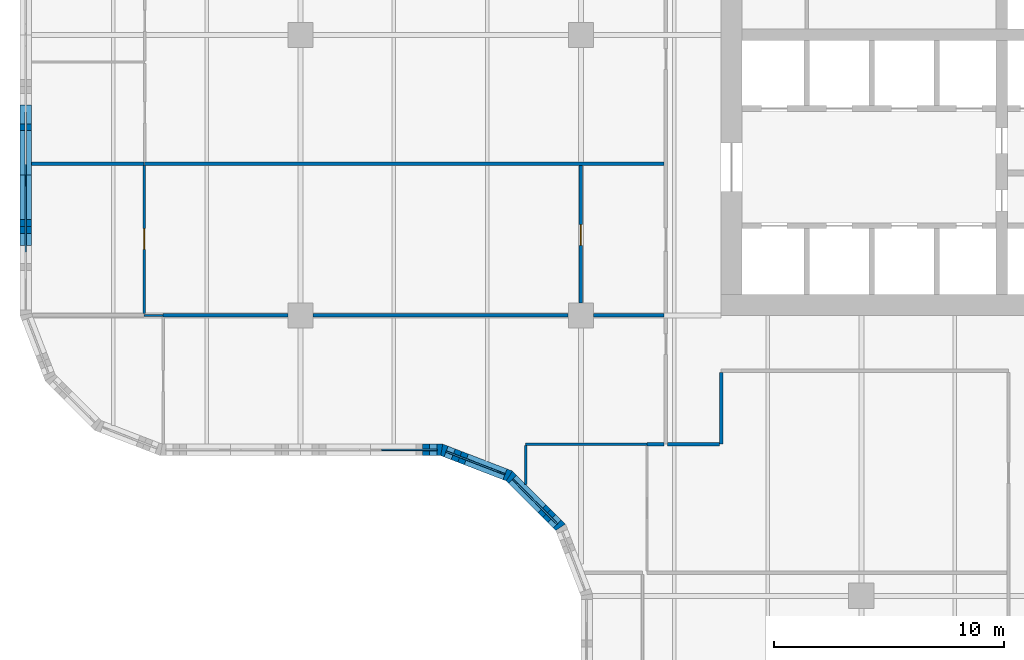
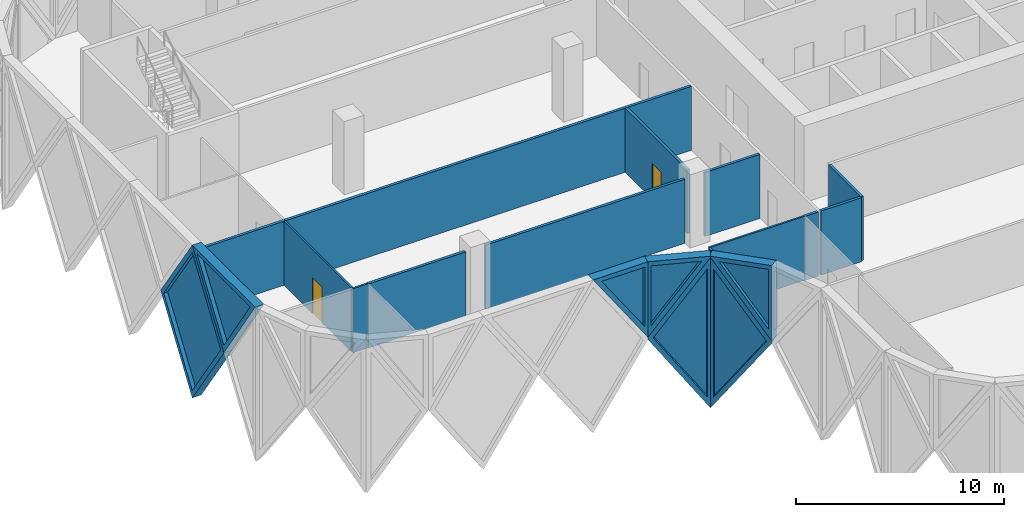
# One storey, part 11 of 30: 20 walls, 7 plates, 2 doors, 9 openings.
"""IFC4 building model written with IfcOpenShell, lengths in metres."""

from ifc_helpers import new_model, si_unit, direction, frame, frame_2d, origin, place, context, subcontext, project, spatial, polyline, rectangle, outline, extrude, faceted_brep, source, transform, mapped, material, layer, layer_set, type_object, element, fill, save


model = new_model("IFC4")

# Units and contexts
model_context = context("Model", 3, precision=1e-05, world=origin(), true_north=direction((0.0, 1.0)))
body_context = subcontext(model_context, "Body", "Model", "MODEL_VIEW")
ifc_project = project(units=[si_unit("LENGTHUNIT", "METRE"), si_unit("AREAUNIT", "SQUARE_METRE"), si_unit("VOLUMEUNIT", "CUBIC_METRE"), si_unit("PLANEANGLEUNIT", "RADIAN"), si_unit("MASSUNIT", "GRAM", prefix="KILO")], contexts=[model_context])

# Site, building, storey
site_placement = place(None, origin())
site = spatial("IfcSite", under=ifc_project, at=site_placement, CompositionType="ELEMENT")
building_placement = place(site_placement, origin())
building = spatial("IfcBuilding", under=site, at=building_placement, Name="Tessera Gate Towers", CompositionType="ELEMENT")
storey_placement = place(building_placement, frame((0.0, 0.0, 21.300048828125)))
storey = spatial("IfcBuildingStorey", under=building, at=storey_placement, Name="L04", CompositionType="ELEMENT", Elevation=21.300048828125)

# Walls
ifc_material_1 = material(Name="Gypsum board on steel studs, mineral wool", Category="steel")
ifc_layer_1 = layer(ifc_material_1, 0.14990234375)
ifc_layer_set_1 = layer_set([ifc_layer_1], Name="CORRIDOR WALL 150")
wall_type_1 = type_object("IfcWallType", Name="CORRIDOR WALL 150", PredefinedType="PARTITIONING", material=ifc_layer_set_1)
wall_1_placement = place(storey_placement, frame((28.176025390625, 18.800048828125, 0.0), z_axis=(0.0, 0.0, 1.0), x_axis=(1.0, 0.0, 0.0)))
element("IfcWall", 1, at=wall_1_placement, inside=storey, type_object=wall_type_1, Name="T1-L04-PW-020", PredefinedType="PARTITIONING", context=body_context, shape_type="SweptSolid", body=[
    extrude(rectangle(XDim=2.248046875, YDim=0.14990234375, at=frame_2d((1.1240234375, 0.0))), origin(), (0.0, 0.0, 1.0), 3.766845703125),
])
wall_2_placement = place(storey_placement, frame((30.5, 18.800048828125, 0.0), z_axis=(0.0, 0.0, 1.0), x_axis=(0.0, 1.0, 0.0)))
element("IfcWall", 2, at=wall_2_placement, inside=storey, type_object=wall_type_1, Name="T1-L04-PW-021", PredefinedType="PARTITIONING", context=body_context, shape_type="SweptSolid", body=[
    extrude(rectangle(XDim=3.1240234375, YDim=0.14990234375, at=frame_2d((1.56201171875, 0.0))), origin(), (0.0, 0.0, 1.0), 3.766845703125),
])
ifc_material_2 = material(Name="Glass", Category="glass")
ifc_layer_2 = layer(ifc_material_2, 0.10009765625)
ifc_layer_set_2 = layer_set([ifc_layer_2], Name="GLAZED PARTITION 100")
wall_type_2 = type_object("IfcWallType", Name="GLAZED PARTITION 100", PredefinedType="PARTITIONING", material=ifc_layer_set_2)
wall_3_placement = place(storey_placement, frame((22.0, 17.054931640625, 0.0), z_axis=(0.0, 0.0, 1.0), x_axis=(0.0, 1.0, 0.0)))
element("IfcWall", 3, at=wall_3_placement, inside=storey, type_object=wall_type_2, Name="T1-L04-PW-015", PredefinedType="PARTITIONING", context=body_context, shape_type="SweptSolid", body=[
    extrude(rectangle(XDim=1.694091796875, YDim=0.10009765625, at=frame_2d((0.84716796875, 0.0))), origin(), (0.0, 0.0, 1.0), 3.766845703125),
])
wall_4_placement = place(storey_placement, frame((22.0, 18.800048828125, 0.0), z_axis=(0.0, 0.0, 1.0), x_axis=(1.0, 0.0, 0.0)))
element("IfcWall", 4, at=wall_4_placement, inside=storey, type_object=wall_type_2, Name="T1-L04-PW-017", PredefinedType="PARTITIONING", context=body_context, shape_type="SweptSolid", body=[
    extrude(rectangle(XDim=5.27392578125, YDim=0.10009765625, at=frame_2d((2.636962890625, 0.0))), origin(), (0.0, 0.0, 1.0), 3.766845703125),
])
wall_5_placement = place(storey_placement, frame((5.40087890625, 24.39990234375, 0.0), z_axis=(0.0, 0.0, 1.0), x_axis=(1.0, 0.0, 0.0)))
element("IfcWall", 5, at=wall_5_placement, inside=storey, type_object=wall_type_2, Name="T1-L04-PW-027", PredefinedType="PARTITIONING", context=body_context, shape_type="SweptSolid", body=[
    extrude(rectangle(XDim=0.8232421875, YDim=0.10009765625, at=frame_2d((0.41162109375, 0.0))), origin(), (0.0, 0.0, 1.0), 3.766845703125),
])

# Wall, opening, door
ifc_material_3 = material(Name="Gypsum board on steel studs", Category="steel")
ifc_layer_3 = layer(ifc_material_3, 0.10009765625)
ifc_layer_set_3 = layer_set([ifc_layer_3], Name="PARTITION 100")
wall_type_3 = type_object("IfcWallType", Name="PARTITION 100", PredefinedType="PARTITIONING", material=ifc_layer_set_3)
wall_6_placement = place(storey_placement, frame((5.39990234375, 24.47607421875, 0.0), z_axis=(0.0, 0.0, 1.0), x_axis=(0.0, 1.0, 0.0)))
wall_6 = element("IfcWall", 6, at=wall_6_placement, inside=storey, type_object=wall_type_3, Name="T1-L04-PW-031", PredefinedType="PARTITIONING", context=body_context, shape_type="SweptSolid", body=[
    extrude(rectangle(XDim=6.447998046875, YDim=0.10009765625, at=frame_2d((3.22412109375, 0.0))), origin(), (0.0, 0.0, 1.0), 3.766845703125),
])
shared_shape_1 = source(origin(), body_context, "Body", "SweptSolid", [
    extrude(rectangle(XDim=0.89990234375, YDim=2.10009765625, at=frame_2d((0.449951171875, 1.050048828125))), frame((0.0, 0.06005859375, 0.0), z_axis=(0.0, -1.0, 0.0), x_axis=(1.0, 0.0, 0.0)), (0.0, 0.0, 1.0), 0.1201171875),
])
opening_1_placement = place(wall_6_placement, frame((2.800048828125, 0.0, 0.0)))
opening_1 = element("IfcOpeningElement", 7, at=opening_1_placement, cuts=wall_6, Name="Opening D190-A01-07", PredefinedType="OPENING", context=body_context, shape_type="MappedRepresentation", body=[
    mapped(shared_shape_1, transform((0.0, 0.0, 0.0), scale=1.0)),
])
ifc_material_4 = material(Name="Timber door leaf in steel frame", Category="steel")
door_type = type_object("IfcDoorType", Name="INTERNAL DOOR 900 NOT RATED", OperationType="NOTDEFINED", PredefinedType="DOOR", material=ifc_material_4)
shared_shape_2 = source(origin(), body_context, "Body", "SweptSolid", [
    extrude(rectangle(XDim=0.89990234375, YDim=2.10009765625, at=frame_2d((0.449951171875, 1.050048828125))), frame((0.0, 0.02490234375, 0.0), z_axis=(0.0, -1.0, 0.0), x_axis=(1.0, 0.0, 0.0)), (0.0, 0.0, 1.0), 0.050048828125),
])
door_1_placement = place(opening_1_placement, origin())
door_1 = element("IfcDoor", 8, at=door_1_placement, inside=storey, type_object=door_type, Name="T1-L04-PD-011", OperationType="SINGLE_SWING_LEFT", OverallHeight=2.10009765625, OverallWidth=0.89990234375, PredefinedType="DOOR", context=body_context, shape_type="MappedRepresentation", body=[
    mapped(shared_shape_2, transform((0.0, 0.0, 0.0), scale=1.0)),
])
fill(opening_1, door_1)

# Walls
ifc_material_5 = material(Name="Gypsum board on steel studs, mineral wool", Category="steel")
ifc_layer_4 = layer(ifc_material_5, 0.14990234375)
ifc_layer_set_4 = layer_set([ifc_layer_4], Name="TENANCY WALL 150")
wall_type_4 = type_object("IfcWallType", Name="TENANCY WALL 150", PredefinedType="PARTITIONING", material=ifc_layer_set_4)
wall_7_placement = place(storey_placement, frame((27.27490234375, 18.800048828125, 0.0), z_axis=(0.0, 0.0, 1.0), x_axis=(1.0, 0.0, 0.0)))
element("IfcWall", 9, at=wall_7_placement, inside=storey, type_object=wall_type_4, Name="T1-L04-PW-018", PredefinedType="PARTITIONING", context=body_context, shape_type="SweptSolid", body=[
    extrude(rectangle(XDim=0.7490234375, YDim=0.14990234375, at=frame_2d((0.37451171875, 0.0))), origin(), (0.0, 0.0, 1.0), 3.766845703125),
])
wall_8_placement = place(storey_placement, frame((6.22509765625, 24.39990234375, 0.0), z_axis=(0.0, 0.0, 1.0), x_axis=(1.0, 0.0, 0.0)))
element("IfcWall", 10, at=wall_8_placement, inside=storey, type_object=wall_type_4, Name="T1-L04-PW-028", PredefinedType="PARTITIONING", context=body_context, shape_type="SweptSolid", body=[
    extrude(rectangle(XDim=5.423828125, YDim=0.14990234375, at=frame_2d((2.7119140625, 0.0))), origin(), (0.0, 0.0, 1.0), 3.766845703125),
])
wall_9_placement = place(storey_placement, frame((12.7509765625, 24.39990234375, 0.0), z_axis=(0.0, 0.0, 1.0), x_axis=(1.0, 0.0, 0.0)))
element("IfcWall", 11, at=wall_9_placement, inside=storey, type_object=wall_type_4, Name="T1-L04-PW-029", PredefinedType="PARTITIONING", context=body_context, shape_type="SweptSolid", body=[
    extrude(rectangle(XDim=11.09814453125, YDim=0.14990234375, at=frame_2d((5.549072265625, 0.0))), origin(), (0.0, 0.0, 1.0), 3.766845703125),
])
wall_10_placement = place(storey_placement, frame((24.950927734375, 24.39990234375, 0.0), z_axis=(0.0, 0.0, 1.0), x_axis=(1.0, 0.0, 0.0)))
element("IfcWall", 12, at=wall_10_placement, inside=storey, type_object=wall_type_4, Name="T1-L04-PW-030", PredefinedType="PARTITIONING", context=body_context, shape_type="SweptSolid", body=[
    extrude(rectangle(XDim=3.072998046875, YDim=0.14990234375, at=frame_2d((1.53662109375, 0.0))), origin(), (0.0, 0.0, 1.0), 3.766845703125),
])

# Wall, opening, door
wall_11_placement = place(storey_placement, frame((24.39990234375, 24.950927734375, 0.0), z_axis=(0.0, 0.0, 1.0), x_axis=(0.0, 1.0, 0.0)))
wall_11 = element("IfcWall", 13, at=wall_11_placement, inside=storey, type_object=wall_type_4, Name="T1-L04-PW-032", PredefinedType="PARTITIONING", context=body_context, shape_type="SweptSolid", body=[
    extrude(rectangle(XDim=5.97314453125, YDim=0.14990234375, at=frame_2d((2.986572265625, 0.0))), origin(), (0.0, 0.0, 1.0), 3.766845703125),
])
shared_shape_3 = source(origin(), body_context, "Body", "SweptSolid", [
    extrude(rectangle(XDim=0.89990234375, YDim=2.10009765625, at=frame_2d((0.449951171875, 1.050048828125))), frame((0.0, 0.0849609375, 0.0), z_axis=(0.0, -1.0, 0.0), x_axis=(1.0, 0.0, 0.0)), (0.0, 0.0, 1.0), 0.169921875),
])
opening_2_placement = place(wall_11_placement, frame((2.5, 0.0, 0.0)))
opening_2 = element("IfcOpeningElement", 14, at=opening_2_placement, cuts=wall_11, Name="Opening D190-A01-06", PredefinedType="OPENING", context=body_context, shape_type="MappedRepresentation", body=[
    mapped(shared_shape_3, transform((0.0, 0.0, 0.0), scale=1.0)),
])
door_2_placement = place(opening_2_placement, origin())
door_2 = element("IfcDoor", 15, at=door_2_placement, inside=storey, type_object=door_type, Name="T1-L04-PD-010", OperationType="SINGLE_SWING_LEFT", OverallHeight=2.10009765625, OverallWidth=0.89990234375, PredefinedType="DOOR", context=body_context, shape_type="MappedRepresentation", body=[
    mapped(shared_shape_2, transform((0.0, 0.0, 0.0), scale=1.0)),
])
fill(opening_2, door_2)

# Walls
wall_12_placement = place(storey_placement, frame((0.5, 31.0, 0.0), z_axis=(0.0, 0.0, 1.0), x_axis=(1.0, 0.0, 0.0)))
element("IfcWall", 16, at=wall_12_placement, inside=storey, type_object=wall_type_4, Name="T1-L04-PW-033", PredefinedType="PARTITIONING", context=body_context, shape_type="SweptSolid", body=[
    extrude(rectangle(XDim=4.89990234375, YDim=0.14990234375, at=frame_2d((2.449951171875, 0.0))), origin(), (0.0, 0.0, 1.0), 3.766845703125),
])
wall_13_placement = place(storey_placement, frame((5.425048828125, 31.0, 0.0), z_axis=(0.0, 0.0, 1.0), x_axis=(1.0, 0.0, 0.0)))
element("IfcWall", 17, at=wall_13_placement, inside=storey, type_object=wall_type_4, Name="T1-L04-PW-034", PredefinedType="PARTITIONING", context=body_context, shape_type="SweptSolid", body=[
    extrude(rectangle(XDim=22.598876953125, YDim=0.14990234375, at=frame_2d((11.29931640625, 0.0))), origin(), (0.0, 0.0, 1.0), 3.766845703125),
])

# Wall, opening, plate
ifc_material_6 = material(Name="Precast concrete C60/75 white", Category="concrete")
ifc_layer_5 = layer(ifc_material_6, 0.5)
ifc_layer_set_5 = layer_set([ifc_layer_5], Name="TS1 tessera")
wall_type_5 = type_object("IfcWallType", Name="TS1 tessera", PredefinedType="SOLIDWALL", material=ifc_layer_set_5)
shared_shape_4 = source(origin(), body_context, "Body", "SweptSolid", [
    extrude(outline(polyline([(3.050048828125, 0.0), (6.10009765625, 4.5), (3.050048828125, 9.0), (0.0, 4.5), (3.050048828125, 0.0)])), frame((0.0, 0.25, 0.0), z_axis=(0.0, -1.0, 0.0), x_axis=(1.0, 0.0, 0.0)), (0.0, 0.0, 1.0), 0.5),
])
wall_14_placement = place(storey_placement, frame((0.25, 33.550048828125, -4.5), z_axis=(0.0, 0.0, 1.0), x_axis=(0.0, -1.0, 0.0)))
wall_14 = element("IfcWall", 18, at=wall_14_placement, inside=storey, type_object=wall_type_5, Name="Precast tessera T1 TS1-0020", PredefinedType="SOLIDWALL", context=body_context, shape_type="MappedRepresentation", body=[
    mapped(shared_shape_4, transform((0.0, 0.0, 0.0), scale=1.0)),
])
shared_shape_5 = source(origin(), body_context, "Body", "SweptSolid", [
    extrude(outline(polyline([(3.050048828125, 0.445556640625), (5.798095703125, 4.5), (3.050048828125, 8.554443359375), (0.302001953125, 4.5), (3.050048828125, 0.445556640625)])), frame((0.0, 0.260009765625, 0.0), z_axis=(0.0, -1.0, 0.0), x_axis=(1.0, 0.0, 0.0)), (0.0, 0.0, 1.0), 0.52001953125),
])
opening_3_placement = place(wall_14_placement, origin())
opening_3 = element("IfcOpeningElement", 19, at=opening_3_placement, cuts=wall_14, Name="Opening T1-PL2-0032", PredefinedType="OPENING", context=body_context, shape_type="MappedRepresentation", body=[
    mapped(shared_shape_5, transform((0.0, 0.0, 0.0), scale=1.0)),
])
ifc_material_7 = material(Name="Low-e laminated glass", Category="glass")
ifc_layer_6 = layer(ifc_material_7, 0.06005859375)
ifc_layer_set_6 = layer_set([ifc_layer_6], Name="PL2 rhombic pane")
plate_type_1 = type_object("IfcPlateType", Name="PL2 rhombic pane", PredefinedType="SHEET", material=ifc_layer_set_6)
shared_shape_6 = source(origin(), body_context, "Body", "SweptSolid", [
    extrude(outline(polyline([(3.050048828125, 0.445556640625), (5.798095703125, 4.5), (3.050048828125, 8.554443359375), (0.302001953125, 4.5), (3.050048828125, 0.445556640625)])), frame((0.0, 0.030029296875, 0.0), z_axis=(0.0, -1.0, 0.0), x_axis=(1.0, 0.0, 0.0)), (0.0, 0.0, 1.0), 0.06005859375),
])
plate_1_placement = place(opening_3_placement, origin())
plate_1 = element("IfcPlate", 20, at=plate_1_placement, inside=storey, type_object=plate_type_1, Name="Glass pane T1 PL2-0032", PredefinedType="SHEET", context=body_context, shape_type="MappedRepresentation", body=[
    mapped(shared_shape_6, transform((0.0, 0.0, 0.0), scale=1.0)),
])
fill(opening_3, plate_1)

ifc_material_8 = material(Name="Precast concrete C60/75 white", Category="concrete")
ifc_layer_7 = layer(ifc_material_8, 0.5)
ifc_layer_set_7 = layer_set([ifc_layer_7], Name="TS3 corner tessera")
wall_type_6 = type_object("IfcWallType", Name="TS3 corner tessera", PredefinedType="SOLIDWALL", material=ifc_layer_set_7)
shared_shape_7 = source(origin(), body_context, "Body", "Brep", [
    faceted_brep([(3.096435546875, -0.25, 8.924560546875), (0.046630859375, -0.25, 4.56640625), (0.046630859375, -0.25, 4.43359375), (3.096435546875, -0.25, 0.075439453125), (0.0, 0.25, 4.5), (3.1494140625, 0.25, 9.0), (3.202392578125, 0.25, 8.924560546875), (3.202392578125, 0.25, 0.075439453125), (3.1494140625, 0.25, 0.0), (3.1494140625, -0.000244140625, 0.0), (3.1494140625, -0.000244140625, 9.0), (0.0, 0.0, 4.5)], [[[0, 1, 2, 3]], [[4, 5, 6, 7, 8]], [[8, 7, 9]], [[6, 5, 10]], [[5, 4, 11, 1, 0, 10]], [[4, 8, 9, 3, 2, 11]], [[11, 2, 1]], [[3, 9, 7, 6, 10, 0]]]),
])
wall_15_placement = place(storey_placement, frame((18.346435546875, 18.550048828125, -4.5), z_axis=(0.0, 0.0, 1.0), x_axis=(0.932985567668, -0.359913782069, 0.0)))
wall_15 = element("IfcWall", 21, at=wall_15_placement, inside=storey, type_object=wall_type_6, Name="Precast corner tessera T1 TS3-0041", PredefinedType="SOLIDWALL", context=body_context, shape_type="MappedRepresentation", body=[
    mapped(shared_shape_7, transform((0.0, 0.0, 0.0), scale=1.0)),
])
shared_shape_8 = source(origin(), body_context, "Body", "SweptSolid", [
    extrude(outline(polyline([(2.949462890625, 8.278076171875), (0.30517578125, 4.5), (2.949462890625, 0.7216796875), (2.949462890625, 8.278076171875)])), frame((0.0, 0.260009765625, 0.0), z_axis=(0.0, -1.0, 0.0), x_axis=(1.0, 0.0, 0.0)), (0.0, 0.0, 1.0), 0.52001953125),
])
opening_4_placement = place(wall_15_placement, origin())
opening_4 = element("IfcOpeningElement", 22, at=opening_4_placement, cuts=wall_15, Name="Opening T1-PL2-0039", PredefinedType="OPENING", context=body_context, shape_type="MappedRepresentation", body=[
    mapped(shared_shape_8, transform((0.0, 0.0, 0.0), scale=1.0)),
])
shared_shape_9 = source(origin(), body_context, "Body", "SweptSolid", [
    extrude(outline(polyline([(2.949462890625, 8.278076171875), (0.30517578125, 4.5), (2.949462890625, 0.7216796875), (2.949462890625, 8.278076171875)])), frame((0.0, 0.030029296875, 0.0), z_axis=(0.0, -1.0, 0.0), x_axis=(1.0, 0.0, 0.0)), (0.0, 0.0, 1.0), 0.06005859375),
])
plate_2_placement = place(opening_4_placement, origin())
plate_2 = element("IfcPlate", 23, at=plate_2_placement, inside=storey, type_object=plate_type_1, Name="Glass pane T1 PL2-0039", PredefinedType="SHEET", context=body_context, shape_type="MappedRepresentation", body=[
    mapped(shared_shape_9, transform((0.0, 0.0, 0.0), scale=1.0)),
])
fill(opening_4, plate_2)

shared_shape_10 = source(origin(), body_context, "Body", "Brep", [
    faceted_brep([(0.10595703125, -0.25, 0.075439453125), (3.156005859375, -0.25, 4.424560546875), (3.156005859375, -0.25, 4.575439453125), (0.10595703125, -0.25, 8.924560546875), (0.0, 0.25, 8.92431640625), (0.052978515625, 0.25, 9.0), (3.208740234375, 0.25, 4.5), (0.052978515625, 0.25, 0.0), (0.0, 0.25, 0.07568359375), (3.208740234375, -0.00048828125, 4.5), (0.052978515625, 0.0, 0.0), (0.052978515625, 0.0, 9.0)], [[[0, 1, 2, 3]], [[4, 5, 6, 7, 8]], [[7, 6, 9, 1, 0, 10]], [[6, 5, 11, 3, 2, 9]], [[5, 4, 11]], [[8, 7, 10]], [[8, 10, 0, 3, 11, 4]], [[1, 9, 2]]]),
])
wall_16_placement = place(storey_placement, frame((21.24755859375, 17.453857421875, -4.5), z_axis=(0.0, 0.0, 1.0), x_axis=(0.707106781187, -0.707106781187, 0.0)))
wall_16 = element("IfcWall", 24, at=wall_16_placement, inside=storey, type_object=wall_type_6, Name="Precast corner tessera T1 TS3-0042", PredefinedType="SOLIDWALL", context=body_context, shape_type="MappedRepresentation", body=[
    mapped(shared_shape_10, transform((0.0, 0.0, 0.0), scale=1.0)),
])
shared_shape_11 = source(origin(), body_context, "Body", "SweptSolid", [
    extrude(outline(polyline([(0.2529296875, 0.720458984375), (2.903564453125, 4.5), (0.2529296875, 8.279296875), (0.2529296875, 0.720458984375)])), frame((0.0, 0.260009765625, 0.0), z_axis=(0.0, -1.0, 0.0), x_axis=(1.0, 0.0, 0.0)), (0.0, 0.0, 1.0), 0.52001953125),
])
opening_5_placement = place(wall_16_placement, origin())
opening_5 = element("IfcOpeningElement", 25, at=opening_5_placement, cuts=wall_16, Name="Opening T1-PL2-0040", PredefinedType="OPENING", context=body_context, shape_type="MappedRepresentation", body=[
    mapped(shared_shape_11, transform((0.0, 0.0, 0.0), scale=1.0)),
])
shared_shape_12 = source(origin(), body_context, "Body", "SweptSolid", [
    extrude(outline(polyline([(0.2529296875, 0.720458984375), (2.903564453125, 4.5), (0.2529296875, 8.279296875), (0.2529296875, 0.720458984375)])), frame((0.0, 0.030029296875, 0.0), z_axis=(0.0, -1.0, 0.0), x_axis=(1.0, 0.0, 0.0)), (0.0, 0.0, 1.0), 0.06005859375),
])
plate_3_placement = place(opening_5_placement, origin())
plate_3 = element("IfcPlate", 26, at=plate_3_placement, inside=storey, type_object=plate_type_1, Name="Glass pane T1 PL2-0040", PredefinedType="SHEET", context=body_context, shape_type="MappedRepresentation", body=[
    mapped(shared_shape_12, transform((0.0, 0.0, 0.0), scale=1.0)),
])
fill(opening_5, plate_3)

ifc_material_9 = material(Name="Precast concrete C60/75 white", Category="concrete")
ifc_layer_8 = layer(ifc_material_9, 0.5)
ifc_layer_set_8 = layer_set([ifc_layer_8], Name="TS2 half tessera")
wall_type_7 = type_object("IfcWallType", Name="TS2 half tessera", PredefinedType="SOLIDWALL", material=ifc_layer_set_8)
shared_shape_13 = source(origin(), body_context, "Body", "Brep", [
    faceted_brep([(3.050048828125, -0.25, 0.0), (6.053466796875, -0.25, 4.5), (0.0, -0.25, 4.5), (0.0, 0.25, 4.5), (6.0068359375, 0.25, 4.5), (6.0068359375, 0.25, 4.43017578125), (3.050048828125, 0.25, 0.0), (6.053466796875, 0.0, 4.5)], [[[0, 1, 2]], [[3, 4, 5, 6]], [[6, 5, 7, 1, 0]], [[4, 3, 2, 1, 7]], [[3, 6, 0, 2]], [[5, 4, 7]]]),
])
wall_17_placement = place(storey_placement, frame((0.25, 30.5, 0.0), z_axis=(0.0, 0.0, 1.0), x_axis=(0.0, -1.0, 0.0)))
wall_17 = element("IfcWall", 27, at=wall_17_placement, inside=storey, type_object=wall_type_7, Name="Precast half tessera T1 TS2-0043", PredefinedType="SOLIDWALL", context=body_context, shape_type="MappedRepresentation", body=[
    mapped(shared_shape_13, transform((0.0, 0.0, 0.0), scale=1.0)),
])
shared_shape_14 = source(origin(), body_context, "Body", "SweptSolid", [
    extrude(outline(polyline([(3.04833984375, 0.447998046875), (5.5859375, 4.25), (0.471435546875, 4.25), (3.04833984375, 0.447998046875)])), frame((0.0, 0.260009765625, 0.0), z_axis=(0.0, -1.0, 0.0), x_axis=(1.0, 0.0, 0.0)), (0.0, 0.0, 1.0), 0.52001953125),
])
opening_6_placement = place(wall_17_placement, origin())
opening_6 = element("IfcOpeningElement", 28, at=opening_6_placement, cuts=wall_17, Name="Opening T1-PL1-0081", PredefinedType="OPENING", context=body_context, shape_type="MappedRepresentation", body=[
    mapped(shared_shape_14, transform((0.0, 0.0, 0.0), scale=1.0)),
])
ifc_material_10 = material(Name="Low-e laminated glass", Category="glass")
ifc_layer_9 = layer(ifc_material_10, 0.06005859375)
ifc_layer_set_9 = layer_set([ifc_layer_9], Name="PL1 triangular pane")
plate_type_2 = type_object("IfcPlateType", Name="PL1 triangular pane", PredefinedType="SHEET", material=ifc_layer_set_9)
shared_shape_15 = source(origin(), body_context, "Body", "SweptSolid", [
    extrude(outline(polyline([(3.04833984375, 0.447998046875), (5.5859375, 4.25), (0.471435546875, 4.25), (3.04833984375, 0.447998046875)])), frame((0.0, 0.030029296875, 0.0), z_axis=(0.0, -1.0, 0.0), x_axis=(1.0, 0.0, 0.0)), (0.0, 0.0, 1.0), 0.06005859375),
])
plate_4_placement = place(opening_6_placement, origin())
plate_4 = element("IfcPlate", 29, at=plate_4_placement, inside=storey, type_object=plate_type_2, Name="Glass pane T1 PL1-0081", PredefinedType="SHEET", context=body_context, shape_type="MappedRepresentation", body=[
    mapped(shared_shape_15, transform((0.0, 0.0, 0.0), scale=1.0)),
])
fill(opening_6, plate_4)

shared_shape_16 = source(origin(), body_context, "Body", "Brep", [
    faceted_brep([(3.050048828125, -0.25, 4.5), (0.0, -0.25, 4.5), (3.050048828125, -0.25, 0.0673828125), (0.0, 0.25, 4.5), (3.14306640625, 0.25, 4.5), (3.14306640625, 0.25, 0.066650390625), (3.096435546875, 0.25, 0.0), (3.096435546875, -0.00048828125, 0.0)], [[[0, 1, 2]], [[3, 4, 5, 6]], [[6, 5, 7]], [[4, 3, 1, 0]], [[3, 6, 7, 2, 1]], [[2, 7, 5, 4, 0]]]),
])
wall_18_placement = place(storey_placement, frame((15.25, 18.550048828125, 0.0), z_axis=(0.0, 0.0, 1.0), x_axis=(1.0, 0.0, 0.0)))
wall_18 = element("IfcWall", 30, at=wall_18_placement, inside=storey, type_object=wall_type_6, Name="Precast corner tessera T1 TS3-0067", PredefinedType="SOLIDWALL", context=body_context, shape_type="MappedRepresentation", body=[
    mapped(shared_shape_16, transform((0.0, 0.0, 0.0), scale=1.0)),
])
shared_shape_17 = source(origin(), body_context, "Body", "SweptSolid", [
    extrude(outline(polyline([(2.896484375, 4.25), (0.4755859375, 4.25), (2.896484375, 0.731689453125), (2.896484375, 4.25)])), frame((0.0, 0.260009765625, 0.0), z_axis=(0.0, -1.0, 0.0), x_axis=(1.0, 0.0, 0.0)), (0.0, 0.0, 1.0), 0.52001953125),
])
opening_7_placement = place(wall_18_placement, origin())
opening_7 = element("IfcOpeningElement", 31, at=opening_7_placement, cuts=wall_18, Name="Opening T1-PL1-0087", PredefinedType="OPENING", context=body_context, shape_type="MappedRepresentation", body=[
    mapped(shared_shape_17, transform((0.0, 0.0, 0.0), scale=1.0)),
])
shared_shape_18 = source(origin(), body_context, "Body", "SweptSolid", [
    extrude(outline(polyline([(2.896484375, 4.25), (0.4755859375, 4.25), (2.896484375, 0.731689453125), (2.896484375, 4.25)])), frame((0.0, 0.030029296875, 0.0), z_axis=(0.0, -1.0, 0.0), x_axis=(1.0, 0.0, 0.0)), (0.0, 0.0, 1.0), 0.06005859375),
])
plate_5_placement = place(opening_7_placement, origin())
plate_5 = element("IfcPlate", 32, at=plate_5_placement, inside=storey, type_object=plate_type_2, Name="Glass pane T1 PL1-0087", PredefinedType="SHEET", context=body_context, shape_type="MappedRepresentation", body=[
    mapped(shared_shape_18, transform((0.0, 0.0, 0.0), scale=1.0)),
])
fill(opening_7, plate_5)

shared_shape_19 = source(origin(), body_context, "Body", "Brep", [
    faceted_brep([(0.09326171875, -0.25, 0.06640625), (3.14306640625, -0.25, 4.424560546875), (3.14306640625, -0.25, 4.5), (0.09326171875, -0.25, 4.5), (0.0, 0.25, 4.5), (3.196044921875, 0.25, 4.5), (0.046630859375, 0.25, 0.0), (0.0, 0.25, 0.067626953125), (3.196044921875, -0.000244140625, 4.5), (0.046630859375, 0.0, 0.0)], [[[0, 1, 2, 3]], [[4, 5, 6, 7]], [[6, 5, 8, 1, 0, 9]], [[5, 4, 3, 2, 8]], [[7, 6, 9]], [[7, 9, 0, 3, 4]], [[1, 8, 2]]]),
])
wall_19_placement = place(storey_placement, frame((18.302978515625, 18.56689453125, 0.0), z_axis=(0.0, 0.0, 1.0), x_axis=(0.932978940178, -0.359930961693, 0.0)))
wall_19 = element("IfcWall", 33, at=wall_19_placement, inside=storey, type_object=wall_type_6, Name="Precast corner tessera T1 TS3-0068", PredefinedType="SOLIDWALL", context=body_context, shape_type="MappedRepresentation", body=[
    mapped(shared_shape_19, transform((0.0, 0.0, 0.0), scale=1.0)),
])
shared_shape_20 = source(origin(), body_context, "Body", "SweptSolid", [
    extrude(outline(polyline([(0.24658203125, 0.7216796875), (2.716064453125, 4.25), (0.24658203125, 4.25), (0.24658203125, 0.7216796875)])), frame((0.0, 0.260009765625, 0.0), z_axis=(0.0, -1.0, 0.0), x_axis=(1.0, 0.0, 0.0)), (0.0, 0.0, 1.0), 0.52001953125),
])
opening_8_placement = place(wall_19_placement, origin())
opening_8 = element("IfcOpeningElement", 34, at=opening_8_placement, cuts=wall_19, Name="Opening T1-PL1-0088", PredefinedType="OPENING", context=body_context, shape_type="MappedRepresentation", body=[
    mapped(shared_shape_20, transform((0.0, 0.0, 0.0), scale=1.0)),
])
shared_shape_21 = source(origin(), body_context, "Body", "SweptSolid", [
    extrude(outline(polyline([(0.24658203125, 0.7216796875), (2.716064453125, 4.25), (0.24658203125, 4.25), (0.24658203125, 0.7216796875)])), frame((0.0, 0.030029296875, 0.0), z_axis=(0.0, -1.0, 0.0), x_axis=(1.0, 0.0, 0.0)), (0.0, 0.0, 1.0), 0.06005859375),
])
plate_6_placement = place(opening_8_placement, origin())
plate_6 = element("IfcPlate", 35, at=plate_6_placement, inside=storey, type_object=plate_type_2, Name="Glass pane T1 PL1-0088", PredefinedType="SHEET", context=body_context, shape_type="MappedRepresentation", body=[
    mapped(shared_shape_21, transform((0.0, 0.0, 0.0), scale=1.0)),
])
fill(opening_8, plate_6)

shared_shape_22 = source(origin(), body_context, "Body", "Brep", [
    faceted_brep([(3.10302734375, -0.25, 4.5), (0.052978515625, -0.25, 4.5), (0.052978515625, -0.25, 4.424560546875), (3.10302734375, -0.25, 0.075439453125), (0.0, 0.25, 4.5), (3.208740234375, 0.25, 4.5), (3.208740234375, 0.25, 0.07568359375), (3.15576171875, 0.25, 0.0), (3.15576171875, -0.00048828125, 0.0), (0.0, 0.0, 4.5)], [[[0, 1, 2, 3]], [[4, 5, 6, 7]], [[7, 6, 8]], [[5, 4, 9, 1, 0]], [[4, 7, 8, 3, 2, 9]], [[2, 1, 9]], [[3, 8, 6, 5, 0]]]),
])
wall_20_placement = place(storey_placement, frame((21.284912109375, 17.41650390625, 0.0), z_axis=(0.0, 0.0, 1.0), x_axis=(0.707106781187, -0.707106781187, 0.0)))
wall_20 = element("IfcWall", 36, at=wall_20_placement, inside=storey, type_object=wall_type_6, Name="Precast corner tessera T1 TS3-0069", PredefinedType="SOLIDWALL", context=body_context, shape_type="MappedRepresentation", body=[
    mapped(shared_shape_22, transform((0.0, 0.0, 0.0), scale=1.0)),
])
shared_shape_23 = source(origin(), body_context, "Body", "SweptSolid", [
    extrude(outline(polyline([(2.955810546875, 4.25), (0.480712890625, 4.25), (2.955810546875, 0.720458984375), (2.955810546875, 4.25)])), frame((0.0, 0.260009765625, 0.0), z_axis=(0.0, -1.0, 0.0), x_axis=(1.0, 0.0, 0.0)), (0.0, 0.0, 1.0), 0.52001953125),
])
opening_9_placement = place(wall_20_placement, origin())
opening_9 = element("IfcOpeningElement", 37, at=opening_9_placement, cuts=wall_20, Name="Opening T1-PL1-0089", PredefinedType="OPENING", context=body_context, shape_type="MappedRepresentation", body=[
    mapped(shared_shape_23, transform((0.0, 0.0, 0.0), scale=1.0)),
])
shared_shape_24 = source(origin(), body_context, "Body", "SweptSolid", [
    extrude(outline(polyline([(2.955810546875, 4.25), (0.480712890625, 4.25), (2.955810546875, 0.720458984375), (2.955810546875, 4.25)])), frame((0.0, 0.030029296875, 0.0), z_axis=(0.0, -1.0, 0.0), x_axis=(1.0, 0.0, 0.0)), (0.0, 0.0, 1.0), 0.06005859375),
])
plate_7_placement = place(opening_9_placement, origin())
plate_7 = element("IfcPlate", 38, at=plate_7_placement, inside=storey, type_object=plate_type_2, Name="Glass pane T1 PL1-0089", PredefinedType="SHEET", context=body_context, shape_type="MappedRepresentation", body=[
    mapped(shared_shape_24, transform((0.0, 0.0, 0.0), scale=1.0)),
])
fill(opening_9, plate_7)

save(model, "model.ifc")
